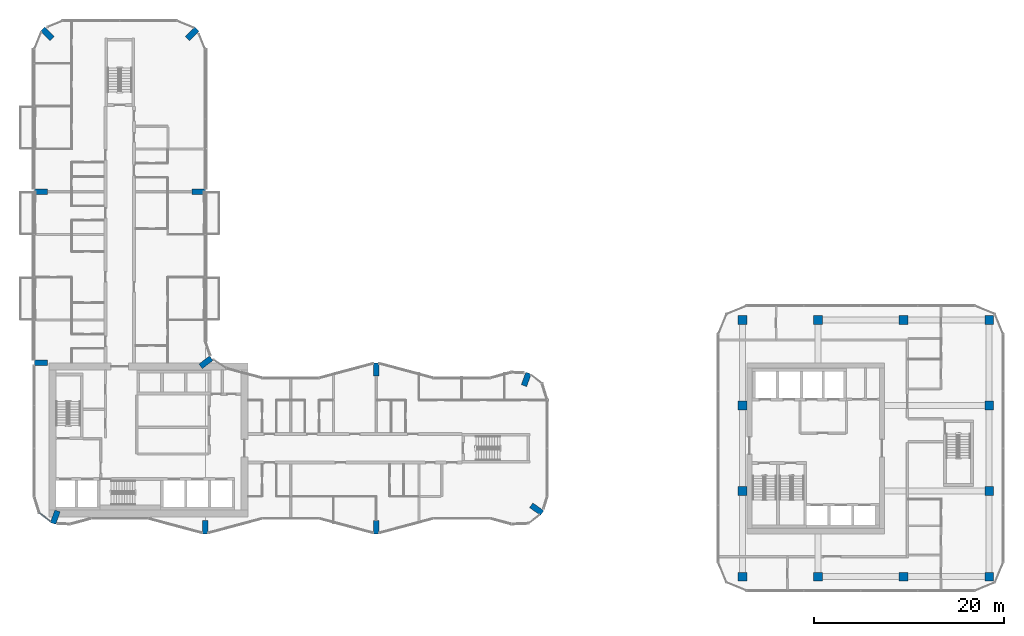
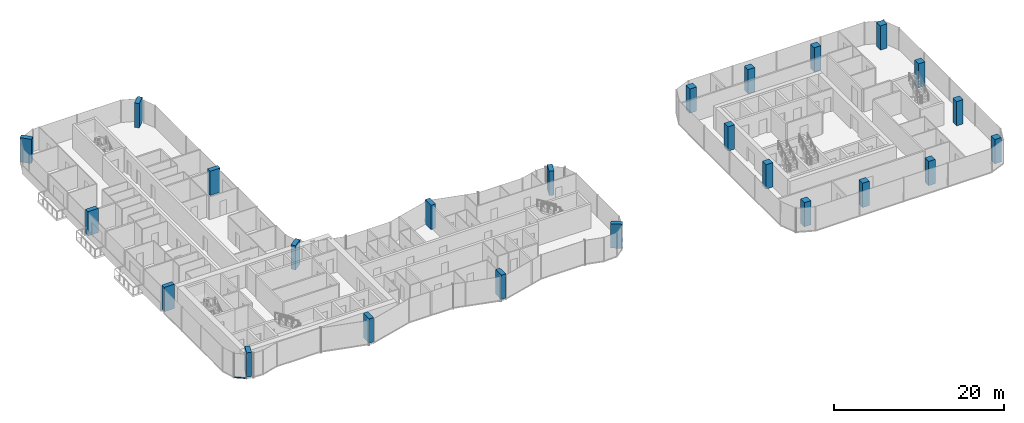
# One storey, part 1 of 23: 24 columns, 1 member, 1 element without a shape of its own.
"""IFC4 building model written with IfcOpenShell, lengths in metres."""

from ifc_helpers import new_model, si_unit, direction, frame, origin, origin_2d, place, context, subcontext, project, spatial, rectangle, extrude, material, layer, layer_set, material_profile, profile_set, type_object, element, aggregate, save


model = new_model("IFC4")

# Units and contexts
model_context = context("Model", 3, precision=1e-05, world=origin(), true_north=direction((0.0, 1.0)))
body_context = subcontext(model_context, "Body", "Model", "MODEL_VIEW")
ifc_project = project(units=[si_unit("LENGTHUNIT", "METRE"), si_unit("AREAUNIT", "SQUARE_METRE"), si_unit("VOLUMEUNIT", "CUBIC_METRE"), si_unit("PLANEANGLEUNIT", "RADIAN"), si_unit("MASSUNIT", "GRAM", prefix="KILO")], contexts=[model_context])

# Site, building, storey
site_placement = place(None, origin())
site = spatial("IfcSite", under=ifc_project, at=site_placement, CompositionType="ELEMENT")
building_placement = place(site_placement, origin())
building = spatial("IfcBuilding", under=site, at=building_placement, Name="Plateau Cross Towers", CompositionType="ELEMENT")
storey_placement = place(building_placement, frame((0.0, 0.0, 33.800048828125)))
storey = spatial("IfcBuildingStorey", under=building, at=storey_placement, Name="L07", CompositionType="ELEMENT", Elevation=33.800048828125)

# Columns
ifc_material_1 = material(Name="Concrete C60/75", Category="concrete")
ifc_material_profile_1 = material_profile(ifc_material_1, rectangle(XDim=0.60009765625, YDim=1.39990234375, at=origin_2d()), Name="RC 600x1400")
ifc_profile_set_1 = profile_set([ifc_material_profile_1], Name="Concrete C60/75")
column_type_1 = type_object("IfcColumnType", Name="Fin pier column RC 600x1400", PredefinedType="COLUMN", material=ifc_profile_set_1)
for number, where, z_axis, x_axis, name in (
    (1, (18.0, 0.699951171875, 0.0), (0.0, 0.0, 1.0), (1.0, 0.0, 0.0), "PR1 L07"),
    (2, (36.0, 0.699951171875, 0.0), (0.0, 0.0, 1.0), (1.0, 0.0, 0.0), "PR2 L07"),
    (3, (52.884033203125, 2.590087890625, 0.0), (0.0, 0.0, 1.0), (0.573542637991, 0.819175709117, 0.0), "PR3 L07"),
    (4, (51.786865234375, 16.251953125, 0.0), (0.0, 0.0, 1.0), (-0.939664280925, 0.342097996418, 0.0), "PR4 L07"),
    (5, (36.0, 17.300048828125, 0.0), (0.0, 0.0, 1.0), (1.0, 0.0, 0.0), "PR5 L07"),
    (6, (18.064697265625, 18.049560546875, 0.0), (0.0, 0.0, 1.0), (-0.608810846443, 0.793315418515, 0.0), "PR6 L07"),
    (7, (17.300048828125, 36.0, 0.0), (0.0, 0.0, 1.0), (0.0, 1.0, 0.0), "PR7 L07"),
    (8, (16.62646484375, 52.62646484375, 0.0), (0.0, 0.0, 1.0), (-0.707106781187, 0.707106781187, 0.0), "PR8 L07"),
    (9, (1.37353515625, 52.62646484375, 0.0), (0.0, 0.0, 1.0), (0.707106781187, 0.707106781187, 0.0), "PR9 L07"),
    (10, (0.699951171875, 36.0, 0.0), (0.0, 0.0, 1.0), (0.0, 1.0, 0.0), "PR10 L07"),
    (11, (0.699951171875, 18.0, 0.0), (0.0, 0.0, 1.0), (0.0, 1.0, 0.0), "PR11 L07"),
    (12, (2.213134765625, 1.748046875, 0.0), (0.0, 0.0, 1.0), (-0.939664280925, 0.342097996418, 0.0), "PR12 L07"),
):
    element("IfcColumn", number, at=place(storey_placement, frame(where, z_axis=z_axis, x_axis=x_axis)), inside=storey, type_object=column_type_1, Name=name, PredefinedType="COLUMN", context=body_context, shape_type="SweptSolid", body=[
        extrude(rectangle(XDim=0.60009765625, YDim=1.39990234375, at=origin_2d()), origin(), (0.0, 0.0, 1.0), 3.5),
    ])
ifc_material_profile_2 = material_profile(ifc_material_1, rectangle(XDim=0.89990234375, YDim=0.89990234375, at=origin_2d()), Name="RC 900x900")
ifc_profile_set_2 = profile_set([ifc_material_profile_2], Name="Concrete C60/75")
column_type_2 = type_object("IfcColumnType", Name="Office column RC 900x900", PredefinedType="COLUMN", material=ifc_profile_set_2)
for number, where, z_axis, x_axis, name in (
    (13, (74.550048828125, -4.5, 0.0), (0.0, 0.0, 1.0), (1.0, 0.0, 0.0), "B-C746_-45 L07"),
    (14, (82.5, -4.5, 0.0), (0.0, 0.0, 1.0), (1.0, 0.0, 0.0), "B-C825_-45 L07"),
    (15, (91.5, -4.5, 0.0), (0.0, 0.0, 1.0), (1.0, 0.0, 0.0), "B-C915_-45 L07"),
    (16, (100.5, -4.5, 0.0), (0.0, 0.0, 1.0), (1.0, 0.0, 0.0), "B-C1005_-45 L07"),
    (17, (100.5, 4.5, 0.0), (0.0, 0.0, 1.0), (1.0, 0.0, 0.0), "B-C1005_45 L07"),
    (18, (100.5, 13.5, 0.0), (0.0, 0.0, 1.0), (1.0, 0.0, 0.0), "B-C1005_135 L07"),
    (19, (100.5, 22.5, 0.0), (0.0, 0.0, 1.0), (1.0, 0.0, 0.0), "B-C1005_225 L07"),
    (20, (91.5, 22.5, 0.0), (0.0, 0.0, 1.0), (1.0, 0.0, 0.0), "B-C915_225 L07"),
    (21, (82.5, 22.5, 0.0), (0.0, 0.0, 1.0), (1.0, 0.0, 0.0), "B-C825_225 L07"),
    (22, (74.550048828125, 22.5, 0.0), (0.0, 0.0, 1.0), (1.0, 0.0, 0.0), "B-C746_225 L07"),
    (23, (74.550048828125, 13.5, 0.0), (0.0, 0.0, 1.0), (1.0, 0.0, 0.0), "B-C746_135 L07"),
    (24, (74.550048828125, 4.5, 0.0), (0.0, 0.0, 1.0), (1.0, 0.0, 0.0), "B-C746_45 L07"),
):
    element("IfcColumn", number, at=place(storey_placement, frame(where, z_axis=z_axis, x_axis=x_axis)), inside=storey, type_object=column_type_2, Name=name, PredefinedType="COLUMN", context=body_context, shape_type="SweptSolid", body=[
        extrude(rectangle(XDim=0.89990234375, YDim=0.89990234375, at=origin_2d()), origin(), (0.0, 0.0, 1.0), 3.5),
    ])

# Curtain wall, member
ifc_material_2 = material(Name="Dark low-iron glass", Category="glass")
ifc_layer = layer(ifc_material_2, 0.239990234375)
ifc_layer_set = layer_set([ifc_layer], Name="Dark low-iron glass")
curtain_wall_type = type_object("IfcCurtainWallType", Name="Curtain wall flush unitised CW-B", PredefinedType="NOTDEFINED", material=ifc_layer_set)
curtain_wall_placement = place(storey_placement, origin())
curtain_wall = element("IfcCurtainWall", 25, at=curtain_wall_placement, inside=storey, type_object=curtain_wall_type, Name="ENV/A/L07/A5_22", PredefinedType="NOTDEFINED")
ifc_material_3 = material(Name="Black anodised aluminium", Category="aluminium")
ifc_material_profile_3 = material_profile(ifc_material_3, rectangle(XDim=0.10009765625, YDim=0.1201171875, at=origin_2d()), Name="TRANSOM 100x120")
ifc_profile_set_3 = profile_set([ifc_material_profile_3], Name="Black anodised aluminium")
member_type = type_object("IfcMemberType", Name="Transom 100x120 flush unitised", PredefinedType="USERDEFINED", material=ifc_profile_set_3)
member_placement = place(storey_placement, frame((0.54248046875, 2.1884765625, -0.18994140625), z_axis=(0.793320508571, -0.608804213751, 0.0), x_axis=(0.608804213751, 0.793320508571, 0.0)))
member = element("IfcMember", 26, at=member_placement, type_object=member_type, Name="CW-B transom", ObjectType="TRANSOM", PredefinedType="USERDEFINED", context=body_context, shape_type="SweptSolid", body=[
    extrude(rectangle(XDim=0.10009765625, YDim=0.1201171875, at=origin_2d()), origin(), (0.0, 0.0, 1.0), 1.471435546875),
])
aggregate(curtain_wall, [member])

save(model, "model.ifc")
